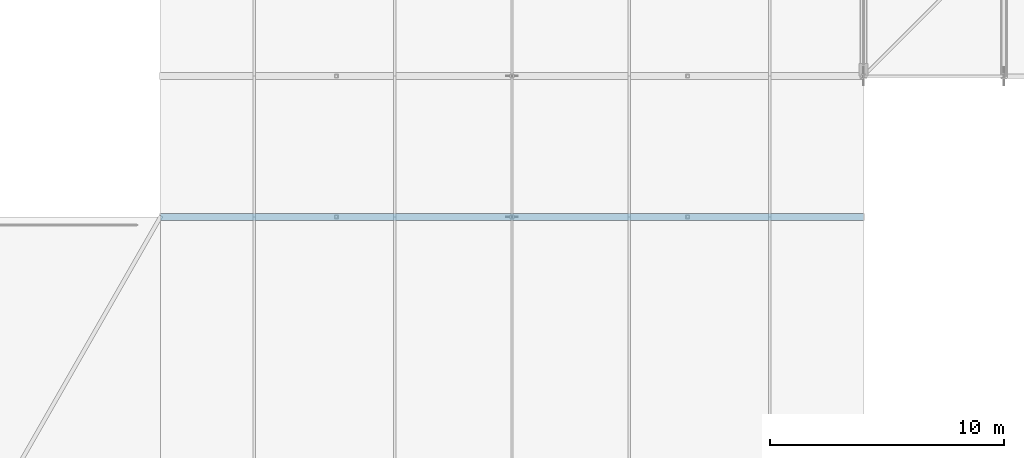
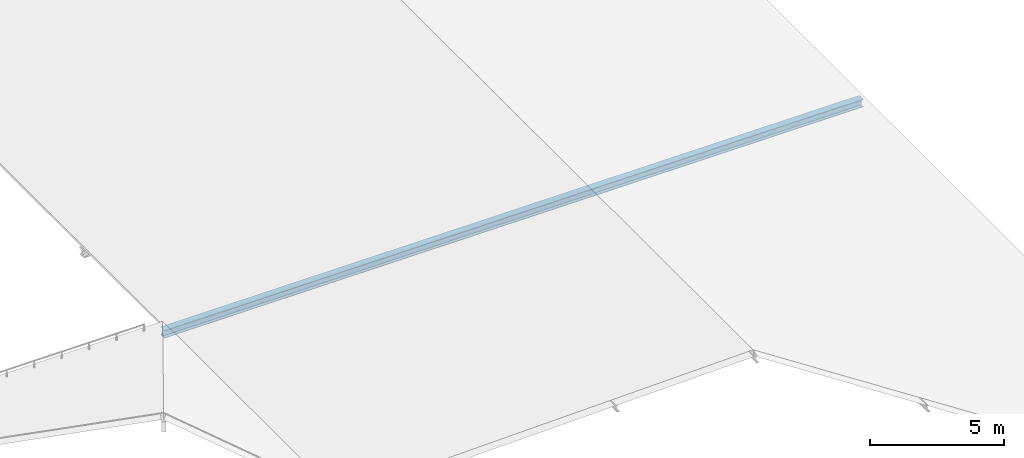
# One storey, part 56 of 204: 1 member.
"""IFC4 building model written with IfcOpenShell, lengths in metres."""

from ifc_helpers import new_model, si_unit, direction, frame, origin, origin_2d, place, context, subcontext, project, spatial, i_section, extrude, material, material_profile, profile_set, type_object, element, save


model = new_model("IFC4")

# Units and contexts
model_context = context("Model", 3, precision=1e-05, world=origin(), true_north=direction((0.0, 1.0)))
body_context = subcontext(model_context, "Body", "Model", "MODEL_VIEW")
ifc_project = project(units=[si_unit("LENGTHUNIT", "METRE"), si_unit("AREAUNIT", "SQUARE_METRE"), si_unit("VOLUMEUNIT", "CUBIC_METRE"), si_unit("PLANEANGLEUNIT", "RADIAN"), si_unit("MASSUNIT", "GRAM", prefix="KILO")], contexts=[model_context])

# Site, building, storey
site_placement = place(None, origin())
site = spatial("IfcSite", under=ifc_project, at=site_placement, CompositionType="ELEMENT")
building_placement = place(site_placement, origin())
building = spatial("IfcBuilding", under=site, at=building_placement, Name="Zilviju Railside Exhibition Hall", CompositionType="ELEMENT")
storey_placement = place(building_placement, frame((0.0, 0.0, 21.0)))
storey = spatial("IfcBuildingStorey", under=building, at=storey_placement, Name="RF", CompositionType="ELEMENT", Elevation=21.0)

# Member
ifc_material = material(Name="Steel S355J2", Category="steel")
ifc_material_profile = material_profile(ifc_material, i_section(OverallWidth=0.300048828125, OverallDepth=0.35009765625, WebThickness=0.010009765625, FlangeThickness=0.017578125, at=origin_2d()), Name="HEA 360")
ifc_profile_set = profile_set([ifc_material_profile], Name="Steel S355J2")
member_type = type_object("IfcMemberType", Name="TR-CH-HEA360", PredefinedType="CHORD", material=ifc_profile_set)
member_placement = place(storey_placement, frame((48.0, 78.0, -8.39990234375), z_axis=(1.0, 0.0, 0.0), x_axis=(0.0, 1.0, 0.0)))
element("IfcMember", 1, at=member_placement, inside=storey, type_object=member_type, Name="Concourse Saddle Tie Chord Y=78.0", PredefinedType="CHORD", context=body_context, shape_type="SweptSolid", body=[
    extrude(i_section(OverallWidth=0.300048828125, OverallDepth=0.35009765625, WebThickness=0.010009765625, FlangeThickness=0.017578125, at=origin_2d()), origin(), (0.0, 0.0, 1.0), 30.0),
])

save(model, "model.ifc")
